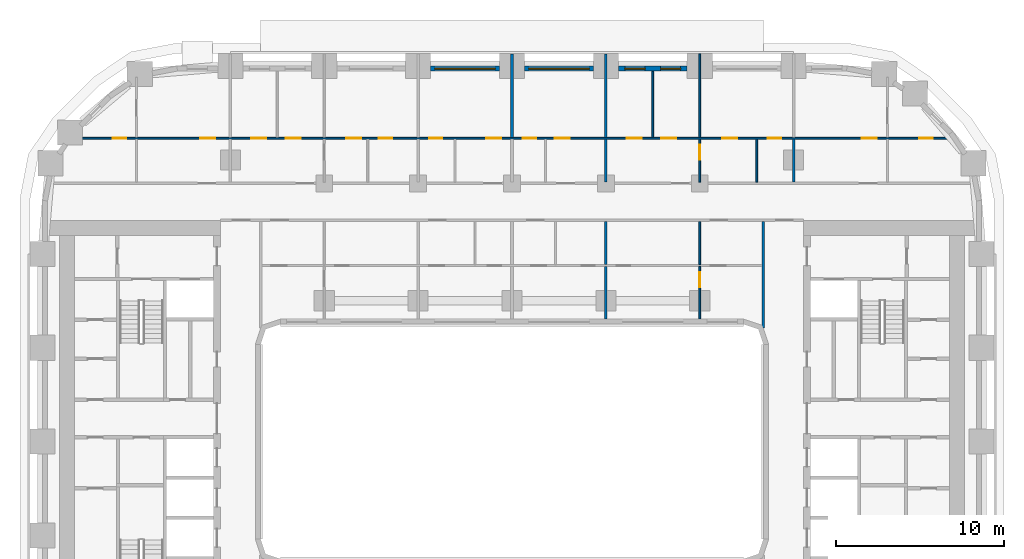
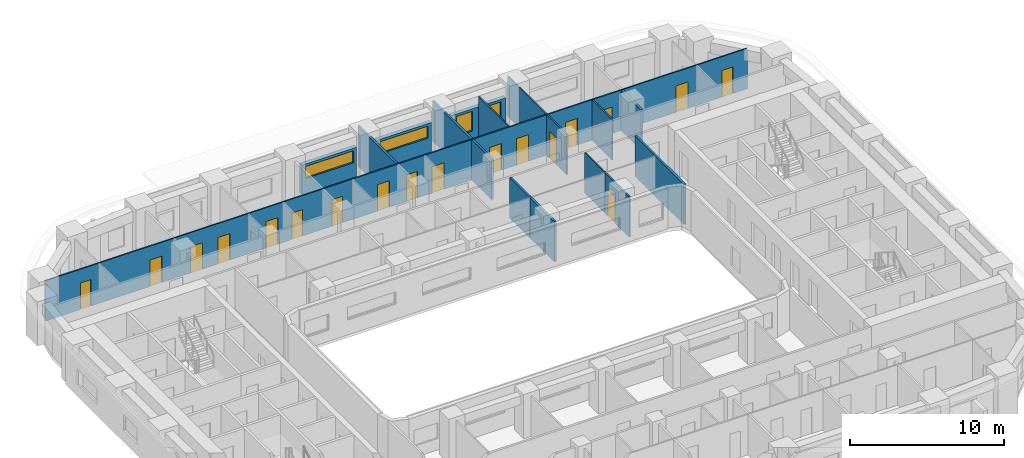
# One storey, part 9 of 22: 18 doors, 17 walls, 4 windows, 22 openings.
"""IFC4 building model written with IfcOpenShell, lengths in metres."""

from ifc_helpers import new_model, si_unit, direction, frame, frame_2d, origin, place, context, subcontext, project, spatial, rectangle, extrude, material, layer, layer_set, type_object, element, fill, save


model = new_model("IFC4")

# Units and contexts
model_context = context("Model", 3, precision=1e-05, world=origin(), true_north=direction((0.0, 1.0)))
body_context = subcontext(model_context, "Body", "Model", "MODEL_VIEW")
ifc_project = project(units=[si_unit("LENGTHUNIT", "METRE"), si_unit("AREAUNIT", "SQUARE_METRE"), si_unit("VOLUMEUNIT", "CUBIC_METRE"), si_unit("PLANEANGLEUNIT", "RADIAN"), si_unit("MASSUNIT", "GRAM", prefix="KILO")], contexts=[model_context])

# Site, building, storey
site_placement = place(None, origin())
site = spatial("IfcSite", under=ifc_project, at=site_placement, CompositionType="ELEMENT")
building_placement = place(site_placement, origin())
building = spatial("IfcBuilding", under=site, at=building_placement, Name="Kiln Ring Residences", CompositionType="ELEMENT")
storey_placement = place(building_placement, frame((0.0, 0.0, 44.5)))
storey = spatial("IfcBuildingStorey", under=building, at=storey_placement, Name="L10", CompositionType="ELEMENT", Elevation=44.5)

# Wall, openings, windows
ifc_material_1 = material(Name="Brick masonry, dark clay brick", Category="masonry")
ifc_layer_1 = layer(ifc_material_1, 0.300048828125)
ifc_layer_set_1 = layer_set([ifc_layer_1], Name="EW-300 BRICK WALL")
wall_type_1 = type_object("IfcWallType", Name="EW-300 BRICK WALL", PredefinedType="SOLIDWALL", material=ifc_layer_set_1)
wall_1_placement = place(storey_placement, frame((10.449951171875, 22.25, 0.0), z_axis=(0.0, 0.0, 1.0), x_axis=(-1.0, 0.0, 0.0)))
wall_1 = element("IfcWall", 1, at=wall_1_placement, inside=storey, type_object=wall_type_1, Name="Facade wall L10 30", PredefinedType="SOLIDWALL", context=body_context, shape_type="SweptSolid", body=[
    extrude(rectangle(XDim=4.099853515625, YDim=0.300048828125, at=frame_2d((2.0498046875, 0.0))), origin(), (0.0, 0.0, 1.0), 2.35009765625),
])
opening_1_placement = place(wall_1_placement, frame((0.387451171875, 0.0, 0.60009765625)))
opening_1 = element("IfcOpeningElement", 2, at=opening_1_placement, cuts=wall_1, Name="Opening W1", PredefinedType="OPENING", context=body_context, shape_type="SweptSolid", body=[
    extrude(rectangle(XDim=1.199951171875, YDim=1.550048828125, at=frame_2d((0.60009765625, 0.77490234375))), frame((0.0, 0.159912109375, 0.0), z_axis=(0.0, -1.0, 0.0), x_axis=(1.0, 0.0, 0.0)), (0.0, 0.0, 1.0), 0.320068359375),
])
opening_2_placement = place(wall_1_placement, frame((2.512451171875, 0.0, 0.60009765625)))
opening_2 = element("IfcOpeningElement", 3, at=opening_2_placement, cuts=wall_1, Name="Opening W1", PredefinedType="OPENING", context=body_context, shape_type="SweptSolid", body=[
    extrude(rectangle(XDim=1.199951171875, YDim=1.550048828125, at=frame_2d((0.60009765625, 0.77490234375))), frame((0.0, 0.159912109375, 0.0), z_axis=(0.0, -1.0, 0.0), x_axis=(1.0, 0.0, 0.0)), (0.0, 0.0, 1.0), 0.320068359375),
])
ifc_material_2 = material(Name="Aluminium frame with double glazing", Category="aluminium")
window_type_1 = type_object("IfcWindowType", Name="WINDOW 1200 x 1550", PartitioningType="SINGLE_PANEL", PredefinedType="WINDOW", material=ifc_material_2)
window_1_placement = place(opening_1_placement, origin())
window_1 = element("IfcWindow", 4, at=window_1_placement, inside=storey, type_object=window_type_1, Name="Window L10 15", OverallHeight=1.550048828125, OverallWidth=1.199951171875, PartitioningType="SINGLE_PANEL", PredefinedType="WINDOW", context=body_context, shape_type="SweptSolid", body=[
    extrude(rectangle(XDim=1.199951171875, YDim=1.550048828125, at=frame_2d((0.60009765625, 0.77490234375))), frame((0.0, 0.030029296875, 0.0), z_axis=(0.0, -1.0, 0.0), x_axis=(1.0, 0.0, 0.0)), (0.0, 0.0, 1.0), 0.06005859375),
])
fill(opening_1, window_1)
window_2_placement = place(opening_2_placement, origin())
window_2 = element("IfcWindow", 5, at=window_2_placement, inside=storey, type_object=window_type_1, Name="Window L10 16", OverallHeight=1.550048828125, OverallWidth=1.199951171875, PartitioningType="SINGLE_PANEL", PredefinedType="WINDOW", context=body_context, shape_type="SweptSolid", body=[
    extrude(rectangle(XDim=1.199951171875, YDim=1.550048828125, at=frame_2d((0.60009765625, 0.77490234375))), frame((0.0, 0.030029296875, 0.0), z_axis=(0.0, -1.0, 0.0), x_axis=(1.0, 0.0, 0.0)), (0.0, 0.0, 1.0), 0.06005859375),
])
fill(opening_2, window_2)

# Wall, opening, window
wall_2_placement = place(storey_placement, frame((4.85009765625, 22.25, 0.0), z_axis=(0.0, 0.0, 1.0), x_axis=(-1.0, 0.0, 0.0)))
wall_2 = element("IfcWall", 6, at=wall_2_placement, inside=storey, type_object=wall_type_1, Name="Facade wall L10 31", PredefinedType="SOLIDWALL", context=body_context, shape_type="SweptSolid", body=[
    extrude(rectangle(XDim=4.10009765625, YDim=0.300048828125, at=frame_2d((2.050048828125, 0.0))), origin(), (0.0, 0.0, 1.0), 2.35009765625),
])
opening_3_placement = place(wall_2_placement, frame((0.25, 0.0, 1.199951171875)))
opening_3 = element("IfcOpeningElement", 7, at=opening_3_placement, cuts=wall_2, Name="Opening W4", PredefinedType="OPENING", context=body_context, shape_type="SweptSolid", body=[
    extrude(rectangle(XDim=3.60009765625, YDim=0.949951171875, at=frame_2d((1.800048828125, 0.47509765625))), frame((0.0, 0.159912109375, 0.0), z_axis=(0.0, -1.0, 0.0), x_axis=(1.0, 0.0, 0.0)), (0.0, 0.0, 1.0), 0.320068359375),
])
ifc_material_3 = material(Name="Aluminium frame with double glazing", Category="aluminium")
window_type_2 = type_object("IfcWindowType", Name="WINDOW 3600 x 950", PartitioningType="SINGLE_PANEL", PredefinedType="WINDOW", material=ifc_material_3)
window_3_placement = place(opening_3_placement, origin())
window_3 = element("IfcWindow", 8, at=window_3_placement, inside=storey, type_object=window_type_2, Name="Window L10 17", OverallHeight=0.949951171875, OverallWidth=3.60009765625, PartitioningType="SINGLE_PANEL", PredefinedType="WINDOW", context=body_context, shape_type="SweptSolid", body=[
    extrude(rectangle(XDim=3.60009765625, YDim=0.949951171875, at=frame_2d((1.800048828125, 0.47509765625))), frame((0.0, 0.030029296875, 0.0), z_axis=(0.0, -1.0, 0.0), x_axis=(1.0, 0.0, 0.0)), (0.0, 0.0, 1.0), 0.06005859375),
])
fill(opening_3, window_3)

wall_3_placement = place(storey_placement, frame((-0.75, 22.25, 0.0), z_axis=(0.0, 0.0, 1.0), x_axis=(-1.0, 0.0, 0.0)))
wall_3 = element("IfcWall", 9, at=wall_3_placement, inside=storey, type_object=wall_type_1, Name="Facade wall L10 32", PredefinedType="SOLIDWALL", context=body_context, shape_type="SweptSolid", body=[
    extrude(rectangle(XDim=4.10009765625, YDim=0.300048828125, at=frame_2d((2.050048828125, 0.0))), origin(), (0.0, 0.0, 1.0), 2.35009765625),
])
opening_4_placement = place(wall_3_placement, frame((0.25, 0.0, 1.199951171875)))
opening_4 = element("IfcOpeningElement", 10, at=opening_4_placement, cuts=wall_3, Name="Opening W4", PredefinedType="OPENING", context=body_context, shape_type="SweptSolid", body=[
    extrude(rectangle(XDim=3.60009765625, YDim=0.949951171875, at=frame_2d((1.800048828125, 0.47509765625))), frame((0.0, 0.159912109375, 0.0), z_axis=(0.0, -1.0, 0.0), x_axis=(1.0, 0.0, 0.0)), (0.0, 0.0, 1.0), 0.320068359375),
])
window_4_placement = place(opening_4_placement, origin())
window_4 = element("IfcWindow", 11, at=window_4_placement, inside=storey, type_object=window_type_2, Name="Window L10 18", OverallHeight=0.949951171875, OverallWidth=3.60009765625, PartitioningType="SINGLE_PANEL", PredefinedType="WINDOW", context=body_context, shape_type="SweptSolid", body=[
    extrude(rectangle(XDim=3.60009765625, YDim=0.949951171875, at=frame_2d((1.800048828125, 0.47509765625))), frame((0.0, 0.030029296875, 0.0), z_axis=(0.0, -1.0, 0.0), x_axis=(1.0, 0.0, 0.0)), (0.0, 0.0, 1.0), 0.06005859375),
])
fill(opening_4, window_4)

# Wall, openings, doors
ifc_material_4 = material(Name="Gypsum board on steel studs", Category="steel")
ifc_layer_2 = layer(ifc_material_4, 0.10009765625)
ifc_layer_set_2 = layer_set([ifc_layer_2], Name="PARTITION-100")
wall_type_2 = type_object("IfcWallType", Name="PARTITION-100", PredefinedType="PARTITIONING", material=ifc_layer_set_2)
wall_4_placement = place(storey_placement, frame((-26.43994140625, 18.10009765625, 0.0), z_axis=(0.0, 0.0, 1.0), x_axis=(1.0, 0.0, 0.0)))
wall_4 = element("IfcWall", 12, at=wall_4_placement, inside=storey, type_object=wall_type_2, Name="Partition 006", PredefinedType="PARTITIONING", context=body_context, shape_type="SweptSolid", body=[
    extrude(rectangle(XDim=52.630126953125, YDim=0.10009765625, at=frame_2d((26.31494140625, 0.0))), origin(), (0.0, 0.0, 1.0), 3.199951171875),
])
opening_5_placement = place(wall_4_placement, frame((2.6259765625, 0.0, 0.0)))
opening_5 = element("IfcOpeningElement", 13, at=opening_5_placement, cuts=wall_4, Name="Opening L10-D020", PredefinedType="OPENING", context=body_context, shape_type="SweptSolid", body=[
    extrude(rectangle(XDim=0.800048828125, YDim=2.10009765625, at=frame_2d((0.39990234375, 1.050048828125))), frame((0.0, 0.06005859375, 0.0), z_axis=(0.0, -1.0, 0.0), x_axis=(1.0, 0.0, 0.0)), (0.0, 0.0, 1.0), 0.1201171875),
])
opening_6_placement = place(wall_4_placement, frame((7.840087890625, 0.0, 0.0)))
opening_6 = element("IfcOpeningElement", 14, at=opening_6_placement, cuts=wall_4, Name="Opening L10-D021", PredefinedType="OPENING", context=body_context, shape_type="SweptSolid", body=[
    extrude(rectangle(XDim=0.89990234375, YDim=2.10009765625, at=frame_2d((0.449951171875, 1.050048828125))), frame((0.0, 0.06005859375, 0.0), z_axis=(0.0, -1.0, 0.0), x_axis=(1.0, 0.0, 0.0)), (0.0, 0.0, 1.0), 0.1201171875),
])
opening_7_placement = place(wall_4_placement, frame((18.489990234375, 0.0, 0.0)))
opening_7 = element("IfcOpeningElement", 15, at=opening_7_placement, cuts=wall_4, Name="Opening L10-D025", PredefinedType="OPENING", context=body_context, shape_type="SweptSolid", body=[
    extrude(rectangle(XDim=0.800048828125, YDim=2.10009765625, at=frame_2d((0.39990234375, 1.050048828125))), frame((0.0, 0.06005859375, 0.0), z_axis=(0.0, -1.0, 0.0), x_axis=(1.0, 0.0, 0.0)), (0.0, 0.0, 1.0), 0.1201171875),
])
opening_8_placement = place(wall_4_placement, frame((16.5400390625, 0.0, 0.0)))
opening_8 = element("IfcOpeningElement", 16, at=opening_8_placement, cuts=wall_4, Name="Opening L10-D026", PredefinedType="OPENING", context=body_context, shape_type="SweptSolid", body=[
    extrude(rectangle(XDim=0.89990234375, YDim=2.10009765625, at=frame_2d((0.449951171875, 1.050048828125))), frame((0.0, 0.06005859375, 0.0), z_axis=(0.0, -1.0, 0.0), x_axis=(1.0, 0.0, 0.0)), (0.0, 0.0, 1.0), 0.1201171875),
])
opening_9_placement = place(wall_4_placement, frame((10.889892578125, 0.0, 0.0)))
opening_9 = element("IfcOpeningElement", 17, at=opening_9_placement, cuts=wall_4, Name="Opening L10-D027", PredefinedType="OPENING", context=body_context, shape_type="SweptSolid", body=[
    extrude(rectangle(XDim=0.89990234375, YDim=2.10009765625, at=frame_2d((0.449951171875, 1.050048828125))), frame((0.0, 0.06005859375, 0.0), z_axis=(0.0, -1.0, 0.0), x_axis=(1.0, 0.0, 0.0)), (0.0, 0.0, 1.0), 0.1201171875),
])
opening_10_placement = place(wall_4_placement, frame((12.93994140625, 0.0, 0.0)))
opening_10 = element("IfcOpeningElement", 18, at=opening_10_placement, cuts=wall_4, Name="Opening L10-D028", PredefinedType="OPENING", context=body_context, shape_type="SweptSolid", body=[
    extrude(rectangle(XDim=0.89990234375, YDim=2.10009765625, at=frame_2d((0.449951171875, 1.050048828125))), frame((0.0, 0.06005859375, 0.0), z_axis=(0.0, -1.0, 0.0), x_axis=(1.0, 0.0, 0.0)), (0.0, 0.0, 1.0), 0.1201171875),
])
opening_11_placement = place(wall_4_placement, frame((21.489990234375, 0.0, 0.0)))
opening_11 = element("IfcOpeningElement", 19, at=opening_11_placement, cuts=wall_4, Name="Opening L10-D030", PredefinedType="OPENING", context=body_context, shape_type="SweptSolid", body=[
    extrude(rectangle(XDim=0.800048828125, YDim=2.10009765625, at=frame_2d((0.39990234375, 1.050048828125))), frame((0.0, 0.06005859375, 0.0), z_axis=(0.0, -1.0, 0.0), x_axis=(1.0, 0.0, 0.0)), (0.0, 0.0, 1.0), 0.1201171875),
])
opening_12_placement = place(wall_4_placement, frame((24.889892578125, 0.0, 0.0)))
opening_12 = element("IfcOpeningElement", 20, at=opening_12_placement, cuts=wall_4, Name="Opening L10-D031", PredefinedType="OPENING", context=body_context, shape_type="SweptSolid", body=[
    extrude(rectangle(XDim=0.89990234375, YDim=2.10009765625, at=frame_2d((0.449951171875, 1.050048828125))), frame((0.0, 0.06005859375, 0.0), z_axis=(0.0, -1.0, 0.0), x_axis=(1.0, 0.0, 0.0)), (0.0, 0.0, 1.0), 0.1201171875),
])
opening_13_placement = place(wall_4_placement, frame((27.090087890625, 0.0, 0.0)))
opening_13 = element("IfcOpeningElement", 21, at=opening_13_placement, cuts=wall_4, Name="Opening L10-D033", PredefinedType="OPENING", context=body_context, shape_type="SweptSolid", body=[
    extrude(rectangle(XDim=0.800048828125, YDim=2.10009765625, at=frame_2d((0.39990234375, 1.050048828125))), frame((0.0, 0.06005859375, 0.0), z_axis=(0.0, -1.0, 0.0), x_axis=(1.0, 0.0, 0.0)), (0.0, 0.0, 1.0), 0.1201171875),
])
opening_14_placement = place(wall_4_placement, frame((28.989990234375, 0.0, 0.0)))
opening_14 = element("IfcOpeningElement", 22, at=opening_14_placement, cuts=wall_4, Name="Opening L10-D034", PredefinedType="OPENING", context=body_context, shape_type="SweptSolid", body=[
    extrude(rectangle(XDim=0.89990234375, YDim=2.10009765625, at=frame_2d((0.449951171875, 1.050048828125))), frame((0.0, 0.06005859375, 0.0), z_axis=(0.0, -1.0, 0.0), x_axis=(1.0, 0.0, 0.0)), (0.0, 0.0, 1.0), 0.1201171875),
])
opening_15_placement = place(wall_4_placement, frame((41.68994140625, 0.0, 0.0)))
opening_15 = element("IfcOpeningElement", 23, at=opening_15_placement, cuts=wall_4, Name="Opening L10-D037", PredefinedType="OPENING", context=body_context, shape_type="SweptSolid", body=[
    extrude(rectangle(XDim=0.800048828125, YDim=2.10009765625, at=frame_2d((0.39990234375, 1.050048828125))), frame((0.0, 0.06005859375, 0.0), z_axis=(0.0, -1.0, 0.0), x_axis=(1.0, 0.0, 0.0)), (0.0, 0.0, 1.0), 0.1201171875),
])
opening_16_placement = place(wall_4_placement, frame((38.989990234375, 0.0, 0.0)))
opening_16 = element("IfcOpeningElement", 24, at=opening_16_placement, cuts=wall_4, Name="Opening L10-D038", PredefinedType="OPENING", context=body_context, shape_type="SweptSolid", body=[
    extrude(rectangle(XDim=0.89990234375, YDim=2.10009765625, at=frame_2d((0.449951171875, 1.050048828125))), frame((0.0, 0.06005859375, 0.0), z_axis=(0.0, -1.0, 0.0), x_axis=(1.0, 0.0, 0.0)), (0.0, 0.0, 1.0), 0.1201171875),
])
opening_17_placement = place(wall_4_placement, frame((33.2900390625, 0.0, 0.0)))
opening_17 = element("IfcOpeningElement", 25, at=opening_17_placement, cuts=wall_4, Name="Opening L10-D039", PredefinedType="OPENING", context=body_context, shape_type="SweptSolid", body=[
    extrude(rectangle(XDim=0.89990234375, YDim=2.10009765625, at=frame_2d((0.449951171875, 1.050048828125))), frame((0.0, 0.06005859375, 0.0), z_axis=(0.0, -1.0, 0.0), x_axis=(1.0, 0.0, 0.0)), (0.0, 0.0, 1.0), 0.1201171875),
])
opening_18_placement = place(wall_4_placement, frame((35.340087890625, 0.0, 0.0)))
opening_18 = element("IfcOpeningElement", 26, at=opening_18_placement, cuts=wall_4, Name="Opening L10-D040", PredefinedType="OPENING", context=body_context, shape_type="SweptSolid", body=[
    extrude(rectangle(XDim=0.89990234375, YDim=2.10009765625, at=frame_2d((0.449951171875, 1.050048828125))), frame((0.0, 0.06005859375, 0.0), z_axis=(0.0, -1.0, 0.0), x_axis=(1.0, 0.0, 0.0)), (0.0, 0.0, 1.0), 0.1201171875),
])
opening_19_placement = place(wall_4_placement, frame((50.739990234375, 0.0, 0.0)))
opening_19 = element("IfcOpeningElement", 27, at=opening_19_placement, cuts=wall_4, Name="Opening L10-D042", PredefinedType="OPENING", context=body_context, shape_type="SweptSolid", body=[
    extrude(rectangle(XDim=0.800048828125, YDim=2.10009765625, at=frame_2d((0.39990234375, 1.050048828125))), frame((0.0, 0.06005859375, 0.0), z_axis=(0.0, -1.0, 0.0), x_axis=(1.0, 0.0, 0.0)), (0.0, 0.0, 1.0), 0.1201171875),
])
opening_20_placement = place(wall_4_placement, frame((47.2900390625, 0.0, 0.0)))
opening_20 = element("IfcOpeningElement", 28, at=opening_20_placement, cuts=wall_4, Name="Opening L10-D043", PredefinedType="OPENING", context=body_context, shape_type="SweptSolid", body=[
    extrude(rectangle(XDim=0.89990234375, YDim=2.10009765625, at=frame_2d((0.449951171875, 1.050048828125))), frame((0.0, 0.06005859375, 0.0), z_axis=(0.0, -1.0, 0.0), x_axis=(1.0, 0.0, 0.0)), (0.0, 0.0, 1.0), 0.1201171875),
])
ifc_material_5 = material(Name="Timber door leaf", Category="wood")
door_type_1 = type_object("IfcDoorType", Name="FLAT-DOOR-800-PL", OperationType="SINGLE_SWING_LEFT", PredefinedType="DOOR", material=ifc_material_5)
door_1_placement = place(opening_5_placement, origin())
door_1 = element("IfcDoor", 29, at=door_1_placement, inside=storey, type_object=door_type_1, Name="Door L10-D020", OperationType="SINGLE_SWING_RIGHT", OverallHeight=2.10009765625, OverallWidth=0.800048828125, PredefinedType="DOOR", context=body_context, shape_type="SweptSolid", body=[
    extrude(rectangle(XDim=0.800048828125, YDim=2.10009765625, at=frame_2d((0.39990234375, 1.050048828125))), frame((0.0, 0.02490234375, 0.0), z_axis=(0.0, -1.0, 0.0), x_axis=(1.0, 0.0, 0.0)), (0.0, 0.0, 1.0), 0.050048828125),
])
fill(opening_5, door_1)
door_2_placement = place(opening_7_placement, origin())
door_2 = element("IfcDoor", 30, at=door_2_placement, inside=storey, type_object=door_type_1, Name="Door L10-D025", OperationType="SINGLE_SWING_LEFT", OverallHeight=2.10009765625, OverallWidth=0.800048828125, PredefinedType="DOOR", context=body_context, shape_type="SweptSolid", body=[
    extrude(rectangle(XDim=0.800048828125, YDim=2.10009765625, at=frame_2d((0.39990234375, 1.050048828125))), frame((0.0, 0.02490234375, 0.0), z_axis=(0.0, -1.0, 0.0), x_axis=(1.0, 0.0, 0.0)), (0.0, 0.0, 1.0), 0.050048828125),
])
fill(opening_7, door_2)
door_3_placement = place(opening_11_placement, origin())
door_3 = element("IfcDoor", 31, at=door_3_placement, inside=storey, type_object=door_type_1, Name="Door L10-D030", OperationType="SINGLE_SWING_RIGHT", OverallHeight=2.10009765625, OverallWidth=0.800048828125, PredefinedType="DOOR", context=body_context, shape_type="SweptSolid", body=[
    extrude(rectangle(XDim=0.800048828125, YDim=2.10009765625, at=frame_2d((0.39990234375, 1.050048828125))), frame((0.0, 0.02490234375, 0.0), z_axis=(0.0, -1.0, 0.0), x_axis=(1.0, 0.0, 0.0)), (0.0, 0.0, 1.0), 0.050048828125),
])
fill(opening_11, door_3)
door_4_placement = place(opening_13_placement, origin())
door_4 = element("IfcDoor", 32, at=door_4_placement, inside=storey, type_object=door_type_1, Name="Door L10-D033", OperationType="SINGLE_SWING_LEFT", OverallHeight=2.10009765625, OverallWidth=0.800048828125, PredefinedType="DOOR", context=body_context, shape_type="SweptSolid", body=[
    extrude(rectangle(XDim=0.800048828125, YDim=2.10009765625, at=frame_2d((0.39990234375, 1.050048828125))), frame((0.0, 0.02490234375, 0.0), z_axis=(0.0, -1.0, 0.0), x_axis=(1.0, 0.0, 0.0)), (0.0, 0.0, 1.0), 0.050048828125),
])
fill(opening_13, door_4)
door_5_placement = place(opening_15_placement, origin())
door_5 = element("IfcDoor", 33, at=door_5_placement, inside=storey, type_object=door_type_1, Name="Door L10-D037", OperationType="SINGLE_SWING_LEFT", OverallHeight=2.10009765625, OverallWidth=0.800048828125, PredefinedType="DOOR", context=body_context, shape_type="SweptSolid", body=[
    extrude(rectangle(XDim=0.800048828125, YDim=2.10009765625, at=frame_2d((0.39990234375, 1.050048828125))), frame((0.0, 0.02490234375, 0.0), z_axis=(0.0, -1.0, 0.0), x_axis=(1.0, 0.0, 0.0)), (0.0, 0.0, 1.0), 0.050048828125),
])
fill(opening_15, door_5)
door_6_placement = place(opening_19_placement, origin())
door_6 = element("IfcDoor", 34, at=door_6_placement, inside=storey, type_object=door_type_1, Name="Door L10-D042", OperationType="SINGLE_SWING_RIGHT", OverallHeight=2.10009765625, OverallWidth=0.800048828125, PredefinedType="DOOR", context=body_context, shape_type="SweptSolid", body=[
    extrude(rectangle(XDim=0.800048828125, YDim=2.10009765625, at=frame_2d((0.39990234375, 1.050048828125))), frame((0.0, 0.02490234375, 0.0), z_axis=(0.0, -1.0, 0.0), x_axis=(1.0, 0.0, 0.0)), (0.0, 0.0, 1.0), 0.050048828125),
])
fill(opening_19, door_6)
ifc_material_6 = material(Name="Timber door leaf", Category="wood")
door_type_2 = type_object("IfcDoorType", Name="FLAT-DOOR-900-PL", OperationType="SINGLE_SWING_LEFT", PredefinedType="DOOR", material=ifc_material_6)
door_7_placement = place(opening_6_placement, origin())
door_7 = element("IfcDoor", 35, at=door_7_placement, inside=storey, type_object=door_type_2, Name="Door L10-D021", OperationType="SINGLE_SWING_LEFT", OverallHeight=2.10009765625, OverallWidth=0.89990234375, PredefinedType="DOOR", context=body_context, shape_type="SweptSolid", body=[
    extrude(rectangle(XDim=0.89990234375, YDim=2.10009765625, at=frame_2d((0.449951171875, 1.050048828125))), frame((0.0, 0.02490234375, 0.0), z_axis=(0.0, -1.0, 0.0), x_axis=(1.0, 0.0, 0.0)), (0.0, 0.0, 1.0), 0.050048828125),
])
fill(opening_6, door_7)
door_8_placement = place(opening_8_placement, origin())
door_8 = element("IfcDoor", 36, at=door_8_placement, inside=storey, type_object=door_type_2, Name="Door L10-D026", OperationType="SINGLE_SWING_LEFT", OverallHeight=2.10009765625, OverallWidth=0.89990234375, PredefinedType="DOOR", context=body_context, shape_type="SweptSolid", body=[
    extrude(rectangle(XDim=0.89990234375, YDim=2.10009765625, at=frame_2d((0.449951171875, 1.050048828125))), frame((0.0, 0.02490234375, 0.0), z_axis=(0.0, -1.0, 0.0), x_axis=(1.0, 0.0, 0.0)), (0.0, 0.0, 1.0), 0.050048828125),
])
fill(opening_8, door_8)
door_9_placement = place(opening_9_placement, origin())
door_9 = element("IfcDoor", 37, at=door_9_placement, inside=storey, type_object=door_type_2, Name="Door L10-D027", OperationType="SINGLE_SWING_LEFT", OverallHeight=2.10009765625, OverallWidth=0.89990234375, PredefinedType="DOOR", context=body_context, shape_type="SweptSolid", body=[
    extrude(rectangle(XDim=0.89990234375, YDim=2.10009765625, at=frame_2d((0.449951171875, 1.050048828125))), frame((0.0, 0.02490234375, 0.0), z_axis=(0.0, -1.0, 0.0), x_axis=(1.0, 0.0, 0.0)), (0.0, 0.0, 1.0), 0.050048828125),
])
fill(opening_9, door_9)
door_10_placement = place(opening_10_placement, origin())
door_10 = element("IfcDoor", 38, at=door_10_placement, inside=storey, type_object=door_type_2, Name="Door L10-D028", OperationType="SINGLE_SWING_RIGHT", OverallHeight=2.10009765625, OverallWidth=0.89990234375, PredefinedType="DOOR", context=body_context, shape_type="SweptSolid", body=[
    extrude(rectangle(XDim=0.89990234375, YDim=2.10009765625, at=frame_2d((0.449951171875, 1.050048828125))), frame((0.0, 0.02490234375, 0.0), z_axis=(0.0, -1.0, 0.0), x_axis=(1.0, 0.0, 0.0)), (0.0, 0.0, 1.0), 0.050048828125),
])
fill(opening_10, door_10)
door_11_placement = place(opening_12_placement, origin())
door_11 = element("IfcDoor", 39, at=door_11_placement, inside=storey, type_object=door_type_2, Name="Door L10-D031", OperationType="SINGLE_SWING_LEFT", OverallHeight=2.10009765625, OverallWidth=0.89990234375, PredefinedType="DOOR", context=body_context, shape_type="SweptSolid", body=[
    extrude(rectangle(XDim=0.89990234375, YDim=2.10009765625, at=frame_2d((0.449951171875, 1.050048828125))), frame((0.0, 0.02490234375, 0.0), z_axis=(0.0, -1.0, 0.0), x_axis=(1.0, 0.0, 0.0)), (0.0, 0.0, 1.0), 0.050048828125),
])
fill(opening_12, door_11)
door_12_placement = place(opening_14_placement, origin())
door_12 = element("IfcDoor", 40, at=door_12_placement, inside=storey, type_object=door_type_2, Name="Door L10-D034", OperationType="SINGLE_SWING_RIGHT", OverallHeight=2.10009765625, OverallWidth=0.89990234375, PredefinedType="DOOR", context=body_context, shape_type="SweptSolid", body=[
    extrude(rectangle(XDim=0.89990234375, YDim=2.10009765625, at=frame_2d((0.449951171875, 1.050048828125))), frame((0.0, 0.02490234375, 0.0), z_axis=(0.0, -1.0, 0.0), x_axis=(1.0, 0.0, 0.0)), (0.0, 0.0, 1.0), 0.050048828125),
])
fill(opening_14, door_12)
door_13_placement = place(opening_16_placement, origin())
door_13 = element("IfcDoor", 41, at=door_13_placement, inside=storey, type_object=door_type_2, Name="Door L10-D038", OperationType="SINGLE_SWING_RIGHT", OverallHeight=2.10009765625, OverallWidth=0.89990234375, PredefinedType="DOOR", context=body_context, shape_type="SweptSolid", body=[
    extrude(rectangle(XDim=0.89990234375, YDim=2.10009765625, at=frame_2d((0.449951171875, 1.050048828125))), frame((0.0, 0.02490234375, 0.0), z_axis=(0.0, -1.0, 0.0), x_axis=(1.0, 0.0, 0.0)), (0.0, 0.0, 1.0), 0.050048828125),
])
fill(opening_16, door_13)
door_14_placement = place(opening_17_placement, origin())
door_14 = element("IfcDoor", 42, at=door_14_placement, inside=storey, type_object=door_type_2, Name="Door L10-D039", OperationType="SINGLE_SWING_LEFT", OverallHeight=2.10009765625, OverallWidth=0.89990234375, PredefinedType="DOOR", context=body_context, shape_type="SweptSolid", body=[
    extrude(rectangle(XDim=0.89990234375, YDim=2.10009765625, at=frame_2d((0.449951171875, 1.050048828125))), frame((0.0, 0.02490234375, 0.0), z_axis=(0.0, -1.0, 0.0), x_axis=(1.0, 0.0, 0.0)), (0.0, 0.0, 1.0), 0.050048828125),
])
fill(opening_17, door_14)
door_15_placement = place(opening_18_placement, origin())
door_15 = element("IfcDoor", 43, at=door_15_placement, inside=storey, type_object=door_type_2, Name="Door L10-D040", OperationType="SINGLE_SWING_RIGHT", OverallHeight=2.10009765625, OverallWidth=0.89990234375, PredefinedType="DOOR", context=body_context, shape_type="SweptSolid", body=[
    extrude(rectangle(XDim=0.89990234375, YDim=2.10009765625, at=frame_2d((0.449951171875, 1.050048828125))), frame((0.0, 0.02490234375, 0.0), z_axis=(0.0, -1.0, 0.0), x_axis=(1.0, 0.0, 0.0)), (0.0, 0.0, 1.0), 0.050048828125),
])
fill(opening_18, door_15)
door_16_placement = place(opening_20_placement, origin())
door_16 = element("IfcDoor", 44, at=door_16_placement, inside=storey, type_object=door_type_2, Name="Door L10-D043", OperationType="SINGLE_SWING_LEFT", OverallHeight=2.10009765625, OverallWidth=0.89990234375, PredefinedType="DOOR", context=body_context, shape_type="SweptSolid", body=[
    extrude(rectangle(XDim=0.89990234375, YDim=2.10009765625, at=frame_2d((0.449951171875, 1.050048828125))), frame((0.0, 0.02490234375, 0.0), z_axis=(0.0, -1.0, 0.0), x_axis=(1.0, 0.0, 0.0)), (0.0, 0.0, 1.0), 0.050048828125),
])
fill(opening_20, door_16)

# Wall
wall_5_placement = place(storey_placement, frame((8.39990234375, 18.14990234375, 0.0), z_axis=(0.0, 0.0, 1.0), x_axis=(0.0, 1.0, 0.0)))
element("IfcWall", 45, at=wall_5_placement, inside=storey, type_object=wall_type_2, Name="Partition 055", PredefinedType="PARTITIONING", context=body_context, shape_type="SweptSolid", body=[
    extrude(rectangle(XDim=3.93017578125, YDim=0.10009765625, at=frame_2d((1.965087890625, 0.0))), origin(), (0.0, 0.0, 1.0), 3.199951171875),
])

# Wall, opening, door
wall_6_placement = place(storey_placement, frame((11.199951171875, 7.320068359375, 0.0), z_axis=(0.0, 0.0, 1.0), x_axis=(0.0, 1.0, 0.0)))
wall_6 = element("IfcWall", 46, at=wall_6_placement, inside=storey, type_object=wall_type_2, Name="Partition 058", PredefinedType="PARTITIONING", context=body_context, shape_type="SweptSolid", body=[
    extrude(rectangle(XDim=3.1298828125, YDim=0.10009765625, at=frame_2d((1.56494140625, 0.0))), origin(), (0.0, 0.0, 1.0), 3.199951171875),
])
opening_21_placement = place(wall_6_placement, frame((1.8798828125, 0.0, 0.0)))
opening_21 = element("IfcOpeningElement", 47, at=opening_21_placement, cuts=wall_6, Name="Opening L10-D018", PredefinedType="OPENING", context=body_context, shape_type="SweptSolid", body=[
    extrude(rectangle(XDim=0.89990234375, YDim=2.10009765625, at=frame_2d((0.449951171875, 1.050048828125))), frame((0.0, 0.06005859375, 0.0), z_axis=(0.0, -1.0, 0.0), x_axis=(1.0, 0.0, 0.0)), (0.0, 0.0, 1.0), 0.1201171875),
])
door_17_placement = place(opening_21_placement, origin())
door_17 = element("IfcDoor", 48, at=door_17_placement, inside=storey, type_object=door_type_2, Name="Door L10-D018", OperationType="SINGLE_SWING_LEFT", OverallHeight=2.10009765625, OverallWidth=0.89990234375, PredefinedType="DOOR", context=body_context, shape_type="SweptSolid", body=[
    extrude(rectangle(XDim=0.89990234375, YDim=2.10009765625, at=frame_2d((0.449951171875, 1.050048828125))), frame((0.0, 0.02490234375, 0.0), z_axis=(0.0, -1.0, 0.0), x_axis=(1.0, 0.0, 0.0)), (0.0, 0.0, 1.0), 0.050048828125),
])
fill(opening_21, door_17)

# Wall
wall_7_placement = place(storey_placement, frame((11.199951171875, 10.550048828125, 0.0), z_axis=(0.0, 0.0, 1.0), x_axis=(0.0, 1.0, 0.0)))
element("IfcWall", 49, at=wall_7_placement, inside=storey, type_object=wall_type_2, Name="Partition 059", PredefinedType="PARTITIONING", context=body_context, shape_type="SweptSolid", body=[
    extrude(rectangle(XDim=2.574951171875, YDim=0.10009765625, at=frame_2d((1.28759765625, 0.0))), origin(), (0.0, 0.0, 1.0), 3.199951171875),
])

# Wall, opening, door
wall_8_placement = place(storey_placement, frame((11.199951171875, 15.47509765625, 0.0), z_axis=(0.0, 0.0, 1.0), x_axis=(0.0, 1.0, 0.0)))
wall_8 = element("IfcWall", 50, at=wall_8_placement, inside=storey, type_object=wall_type_2, Name="Partition 060", PredefinedType="PARTITIONING", context=body_context, shape_type="SweptSolid", body=[
    extrude(rectangle(XDim=2.574951171875, YDim=0.10009765625, at=frame_2d((1.28759765625, 0.0))), origin(), (0.0, 0.0, 1.0), 3.199951171875),
])
opening_22_placement = place(wall_8_placement, frame((1.325927734375, 0.0, 0.0)))
opening_22 = element("IfcOpeningElement", 51, at=opening_22_placement, cuts=wall_8, Name="Opening L10-D036", PredefinedType="OPENING", context=body_context, shape_type="SweptSolid", body=[
    extrude(rectangle(XDim=0.89990234375, YDim=2.10009765625, at=frame_2d((0.449951171875, 1.050048828125))), frame((0.0, 0.06005859375, 0.0), z_axis=(0.0, -1.0, 0.0), x_axis=(1.0, 0.0, 0.0)), (0.0, 0.0, 1.0), 0.1201171875),
])
door_18_placement = place(opening_22_placement, origin())
door_18 = element("IfcDoor", 52, at=door_18_placement, inside=storey, type_object=door_type_2, Name="Door L10-D036", OperationType="SINGLE_SWING_RIGHT", OverallHeight=2.10009765625, OverallWidth=0.89990234375, PredefinedType="DOOR", context=body_context, shape_type="SweptSolid", body=[
    extrude(rectangle(XDim=0.89990234375, YDim=2.10009765625, at=frame_2d((0.449951171875, 1.050048828125))), frame((0.0, 0.02490234375, 0.0), z_axis=(0.0, -1.0, 0.0), x_axis=(1.0, 0.0, 0.0)), (0.0, 0.0, 1.0), 0.050048828125),
])
fill(opening_22, door_18)

# Walls
wall_9_placement = place(storey_placement, frame((11.199951171875, 18.14990234375, 0.0), z_axis=(0.0, 0.0, 1.0), x_axis=(0.0, 1.0, 0.0)))
element("IfcWall", 53, at=wall_9_placement, inside=storey, type_object=wall_type_2, Name="Partition 061", PredefinedType="PARTITIONING", context=body_context, shape_type="SweptSolid", body=[
    extrude(rectangle(XDim=4.97998046875, YDim=0.10009765625, at=frame_2d((2.489990234375, 0.0))), origin(), (0.0, 0.0, 1.0), 3.199951171875),
])
wall_10_placement = place(storey_placement, frame((14.60009765625, 15.47509765625, 0.0), z_axis=(0.0, 0.0, 1.0), x_axis=(0.0, 1.0, 0.0)))
element("IfcWall", 54, at=wall_10_placement, inside=storey, type_object=wall_type_2, Name="Partition 065", PredefinedType="PARTITIONING", context=body_context, shape_type="SweptSolid", body=[
    extrude(rectangle(XDim=2.574951171875, YDim=0.10009765625, at=frame_2d((1.28759765625, 0.0))), origin(), (0.0, 0.0, 1.0), 3.199951171875),
])
ifc_material_7 = material(Name="Brick masonry partition", Category="masonry")
ifc_layer_3 = layer(ifc_material_7, 0.14990234375)
ifc_layer_set_3 = layer_set([ifc_layer_3], Name="PARTITION-150-ei60")
wall_type_3 = type_object("IfcWallType", Name="PARTITION-150-ei60", PredefinedType="PARTITIONING", material=ifc_layer_set_3)
wall_11_placement = place(storey_placement, frame((0.0, 18.14990234375, 0.0), z_axis=(0.0, 0.0, 1.0), x_axis=(0.0, 1.0, 0.0)))
element("IfcWall", 55, at=wall_11_placement, inside=storey, type_object=wall_type_3, Name="Partition 044", PredefinedType="PARTITIONING", context=body_context, shape_type="SweptSolid", body=[
    extrude(rectangle(XDim=4.97998046875, YDim=0.14990234375, at=frame_2d((2.489990234375, 0.0))), origin(), (0.0, 0.0, 1.0), 3.199951171875),
])
wall_12_placement = place(storey_placement, frame((5.60009765625, 7.320068359375, 0.0), z_axis=(0.0, 0.0, 1.0), x_axis=(0.0, 1.0, 0.0)))
element("IfcWall", 56, at=wall_12_placement, inside=storey, type_object=wall_type_3, Name="Partition 051", PredefinedType="PARTITIONING", context=body_context, shape_type="SweptSolid", body=[
    extrude(rectangle(XDim=3.1298828125, YDim=0.14990234375, at=frame_2d((1.56494140625, 0.0))), origin(), (0.0, 0.0, 1.0), 3.199951171875),
])
for number, where, z_axis, x_axis, name in (
    (57, (5.60009765625, 10.550048828125, 0.0), (0.0, 0.0, 1.0), (0.0, 1.0, 0.0), "Partition 052"),
    (58, (5.60009765625, 15.47509765625, 0.0), (0.0, 0.0, 1.0), (0.0, 1.0, 0.0), "Partition 053"),
):
    element("IfcWall", number, at=place(storey_placement, frame(where, z_axis=z_axis, x_axis=x_axis)), inside=storey, type_object=wall_type_3, Name=name, PredefinedType="PARTITIONING", context=body_context, shape_type="SweptSolid", body=[
        extrude(rectangle(XDim=2.574951171875, YDim=0.14990234375, at=frame_2d((1.28759765625, 0.0))), origin(), (0.0, 0.0, 1.0), 3.199951171875),
    ])
wall_13_placement = place(storey_placement, frame((5.60009765625, 18.14990234375, 0.0), z_axis=(0.0, 0.0, 1.0), x_axis=(0.0, 1.0, 0.0)))
element("IfcWall", 59, at=wall_13_placement, inside=storey, type_object=wall_type_3, Name="Partition 054", PredefinedType="PARTITIONING", context=body_context, shape_type="SweptSolid", body=[
    extrude(rectangle(XDim=4.97998046875, YDim=0.14990234375, at=frame_2d((2.489990234375, 0.0))), origin(), (0.0, 0.0, 1.0), 3.199951171875),
])
wall_14_placement = place(storey_placement, frame((15.0, 6.768798828125, 0.0), z_axis=(0.0, 0.0, 1.0), x_axis=(0.0, 1.0, 0.0)))
element("IfcWall", 60, at=wall_14_placement, inside=storey, type_object=wall_type_3, Name="Partition 067", PredefinedType="PARTITIONING", context=body_context, shape_type="SweptSolid", body=[
    extrude(rectangle(XDim=6.356201171875, YDim=0.14990234375, at=frame_2d((3.17822265625, 0.0))), origin(), (0.0, 0.0, 1.0), 3.199951171875),
])
wall_15_placement = place(storey_placement, frame((16.800048828125, 15.47509765625, 0.0), z_axis=(0.0, 0.0, 1.0), x_axis=(0.0, 1.0, 0.0)))
element("IfcWall", 61, at=wall_15_placement, inside=storey, type_object=wall_type_3, Name="Partition 070", PredefinedType="PARTITIONING", context=body_context, shape_type="SweptSolid", body=[
    extrude(rectangle(XDim=2.574951171875, YDim=0.14990234375, at=frame_2d((1.28759765625, 0.0))), origin(), (0.0, 0.0, 1.0), 3.199951171875),
])

save(model, "model.ifc")
